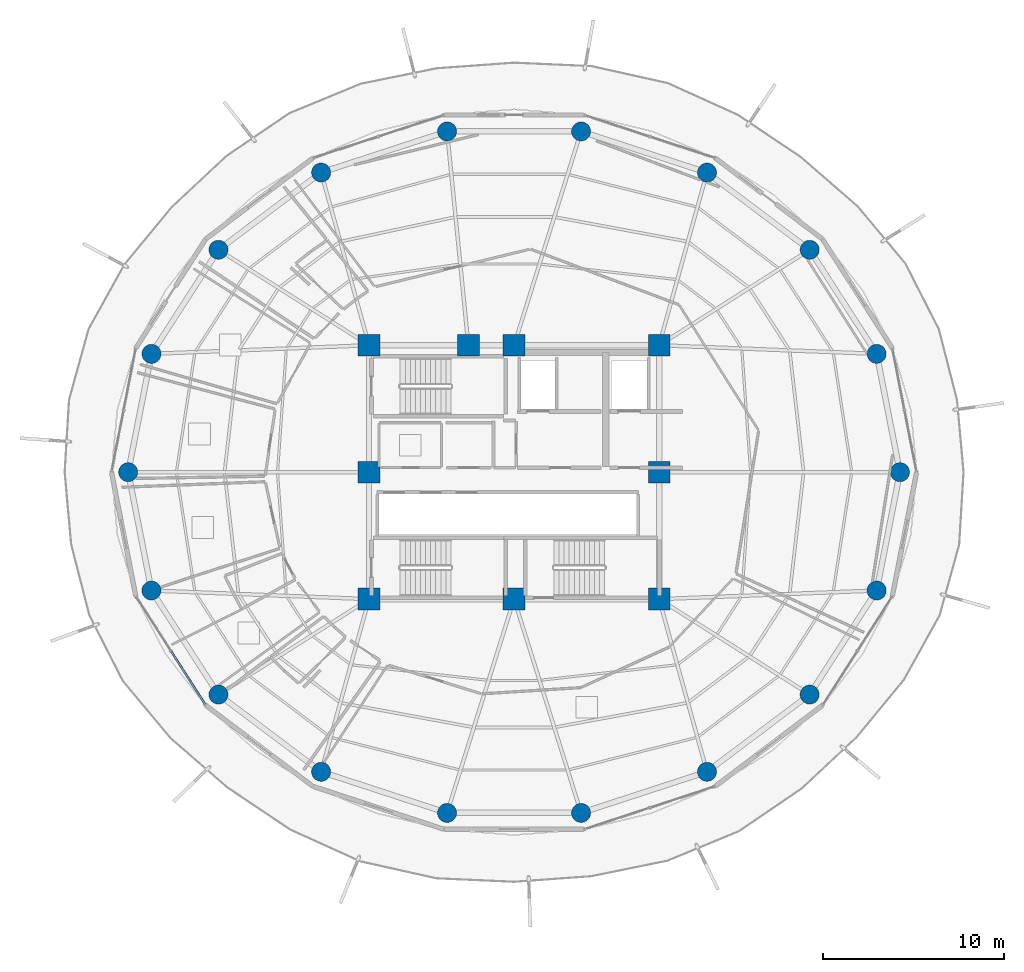
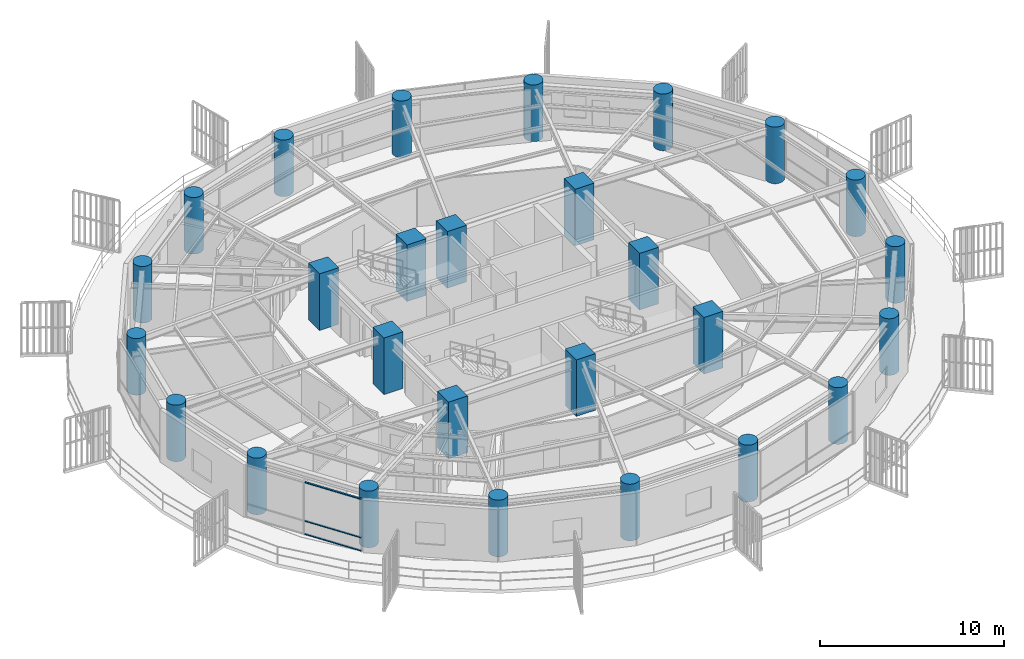
# One storey, part 1 of 30: 27 columns, 3 members, 1 element without a shape of its own.
"""IFC4 building model written with IfcOpenShell, lengths in metres."""

from ifc_helpers import new_model, si_unit, direction, frame, origin, origin_2d, place, context, subcontext, project, spatial, rectangle, hollow_rectangle, circle, extrude, material, layer, layer_set, material_profile, profile_set, type_object, element, aggregate, save


model = new_model("IFC4")

# Units and contexts
model_context = context("Model", 3, precision=1e-05, world=origin(), true_north=direction((0.0, 1.0)))
body_context = subcontext(model_context, "Body", "Model", "MODEL_VIEW")
ifc_project = project(units=[si_unit("LENGTHUNIT", "METRE"), si_unit("AREAUNIT", "SQUARE_METRE"), si_unit("VOLUMEUNIT", "CUBIC_METRE"), si_unit("PLANEANGLEUNIT", "RADIAN"), si_unit("MASSUNIT", "GRAM", prefix="KILO")], contexts=[model_context])

# Site, building, storey
site_placement = place(None, origin())
site = spatial("IfcSite", under=ifc_project, at=site_placement, CompositionType="ELEMENT")
building_placement = place(site_placement, origin())
building = spatial("IfcBuilding", under=site, at=building_placement, Name="Kelanora Arch Commons", CompositionType="ELEMENT")
storey_placement = place(building_placement, frame((0.0, 0.0, 211.949951171875)))
storey = spatial("IfcBuildingStorey", under=building, at=storey_placement, Name="L54", CompositionType="ELEMENT", Elevation=211.949951171875)

# Columns
ifc_material_1 = material(Name="Concrete C50/60", Category="concrete")
ifc_material_profile_1 = material_profile(ifc_material_1, circle(Radius=0.52490234375, at=origin_2d()), Name="RCC1050")
ifc_profile_set_1 = profile_set([ifc_material_profile_1], Name="Concrete C50/60")
column_type_1 = type_object("IfcColumnType", Name="COL-PERIM-Z4", PredefinedType="COLUMN", material=ifc_profile_set_1)
for number, where, z_axis, x_axis, name in (
    (1, (95.280029296875, 58.0, 0.0), (0.0, 0.0, 1.0), (1.0, 0.0, 0.0), "Perimeter Ring Column CP-00 L54"),
    (2, (93.99658203125, 64.525634765625, 0.0), (0.0, 0.0, 1.0), (1.0, 0.0, 0.0), "Perimeter Ring Column CP-02 L54"),
    (3, (90.301513671875, 70.264404296875, 0.0), (0.0, 0.0, 1.0), (1.0, 0.0, 0.0), "Perimeter Ring Column CP-04 L54"),
    (4, (84.639892578125, 74.523681640625, 0.0), (0.0, 0.0, 1.0), (1.0, 0.0, 0.0), "Perimeter Ring Column CP-06 L54"),
    (5, (77.6953125, 76.7900390625, 0.0), (0.0, 0.0, 1.0), (1.0, 0.0, 0.0), "Perimeter Ring Column CP-08 L54"),
    (6, (70.3046875, 76.7900390625, 0.0), (0.0, 0.0, 1.0), (1.0, 0.0, 0.0), "Perimeter Ring Column CP-10 L54"),
    (7, (63.360107421875, 74.523681640625, 0.0), (0.0, 0.0, 1.0), (1.0, 0.0, 0.0), "Perimeter Ring Column CP-12 L54"),
    (8, (57.698486328125, 70.264404296875, 0.0), (0.0, 0.0, 1.0), (1.0, 0.0, 0.0), "Perimeter Ring Column CP-14 L54"),
    (9, (54.00341796875, 64.525634765625, 0.0), (0.0, 0.0, 1.0), (1.0, 0.0, 0.0), "Perimeter Ring Column CP-16 L54"),
    (10, (52.719970703125, 58.0, 0.0), (0.0, 0.0, 1.0), (1.0, 0.0, 0.0), "Perimeter Ring Column CP-18 L54"),
    (11, (54.00341796875, 51.474365234375, 0.0), (0.0, 0.0, 1.0), (1.0, 0.0, 0.0), "Perimeter Ring Column CP-20 L54"),
    (12, (57.698486328125, 45.735595703125, 0.0), (0.0, 0.0, 1.0), (1.0, 0.0, 0.0), "Perimeter Ring Column CP-22 L54"),
    (13, (63.360107421875, 41.476318359375, 0.0), (0.0, 0.0, 1.0), (1.0, 0.0, 0.0), "Perimeter Ring Column CP-24 L54"),
    (14, (70.3046875, 39.2099609375, 0.0), (0.0, 0.0, 1.0), (1.0, 0.0, 0.0), "Perimeter Ring Column CP-26 L54"),
    (15, (77.6953125, 39.2099609375, 0.0), (0.0, 0.0, 1.0), (1.0, 0.0, 0.0), "Perimeter Ring Column CP-28 L54"),
    (16, (84.639892578125, 41.476318359375, 0.0), (0.0, 0.0, 1.0), (1.0, 0.0, 0.0), "Perimeter Ring Column CP-30 L54"),
    (17, (90.301513671875, 45.735595703125, 0.0), (0.0, 0.0, 1.0), (1.0, 0.0, 0.0), "Perimeter Ring Column CP-32 L54"),
    (18, (93.99658203125, 51.474365234375, 0.0), (0.0, 0.0, 1.0), (1.0, 0.0, 0.0), "Perimeter Ring Column CP-34 L54"),
):
    element("IfcColumn", number, at=place(storey_placement, frame(where, z_axis=z_axis, x_axis=x_axis)), inside=storey, type_object=column_type_1, Name=name, PredefinedType="COLUMN", context=body_context, shape_type="SweptSolid", body=[
        extrude(circle(Radius=0.52490234375, at=origin_2d()), origin(), (0.0, 0.0, 1.0), 3.75),
    ])
ifc_material_2 = material(Name="Concrete C60/75", Category="concrete")
ifc_material_profile_2 = material_profile(ifc_material_2, rectangle(XDim=1.199951171875, YDim=1.199951171875, at=origin_2d()), Name="RC1200x1200")
ifc_profile_set_2 = profile_set([ifc_material_profile_2], Name="Concrete C60/75")
column_type_2 = type_object("IfcColumnType", Name="COL-PIL-MID", PredefinedType="PILASTER", material=ifc_profile_set_2)
for number, where, z_axis, x_axis, name in (
    (19, (66.0, 51.0, 0.0), (0.0, 0.0, 1.0), (1.0, 0.0, 0.0), "Core Pilaster Column CP1 L54"),
    (20, (74.0, 51.0, 0.0), (0.0, 0.0, 1.0), (1.0, 0.0, 0.0), "Core Pilaster Column CP2 L54"),
    (21, (82.0, 51.0, 0.0), (0.0, 0.0, 1.0), (1.0, 0.0, 0.0), "Core Pilaster Column CP3 L54"),
    (22, (82.0, 58.0, 0.0), (0.0, 0.0, 1.0), (1.0, 0.0, 0.0), "Core Pilaster Column CP4 L54"),
    (23, (82.0, 65.0, 0.0), (0.0, 0.0, 1.0), (1.0, 0.0, 0.0), "Core Pilaster Column CP5 L54"),
    (24, (74.0, 65.0, 0.0), (0.0, 0.0, 1.0), (1.0, 0.0, 0.0), "Core Pilaster Column CP6 L54"),
    (25, (71.47998046875, 65.0, 0.0), (0.0, 0.0, 1.0), (1.0, 0.0, 0.0), "Core Pilaster Column CP9 L54"),
    (26, (66.0, 65.0, 0.0), (0.0, 0.0, 1.0), (1.0, 0.0, 0.0), "Core Pilaster Column CP7 L54"),
    (27, (66.0, 58.0, 0.0), (0.0, 0.0, 1.0), (1.0, 0.0, 0.0), "Core Pilaster Column CP8 L54"),
):
    element("IfcColumn", number, at=place(storey_placement, frame(where, z_axis=z_axis, x_axis=x_axis)), inside=storey, type_object=column_type_2, Name=name, PredefinedType="PILASTER", context=body_context, shape_type="SweptSolid", body=[
        extrude(rectangle(XDim=1.199951171875, YDim=1.199951171875, at=origin_2d()), origin(), (0.0, 0.0, 1.0), 3.75),
    ])

# Curtain wall, members
ifc_material_3 = material(Name="Terracotta ceramic-fritted low-E glass and aluminium", Category="masonry")
ifc_layer = layer(ifc_material_3, 0.175048828125)
ifc_layer_set = layer_set([ifc_layer], Name="Terracotta ceramic-fritted low-E glass and aluminium")
curtain_wall_type = type_object("IfcCurtainWallType", Name="CW-SYS-02", PredefinedType="NOTDEFINED", material=ifc_layer_set)
curtain_wall_placement = place(storey_placement, origin())
curtain_wall = element("IfcCurtainWall", 28, at=curtain_wall_placement, inside=storey, type_object=curtain_wall_type, Name="Unitised Curtain Wall L54-B10", PredefinedType="NOTDEFINED")
ifc_material_4 = material(Name="Powder-coated aluminium terracotta", Category="masonry")
ifc_material_profile_3 = material_profile(ifc_material_4, hollow_rectangle(XDim=0.1201171875, YDim=0.06005859375, WallThickness=0.0048828125, InnerFilletRadius=0.0048828125, OuterFilletRadius=0.010009765625, at=origin_2d()), Name="CWT120x60")
ifc_profile_set_3 = profile_set([ifc_material_profile_3], Name="Powder-coated aluminium terracotta")
member_type = type_object("IfcMemberType", Name="CWT-STD", PredefinedType="USERDEFINED", material=ifc_profile_set_3)
member_1_placement = place(storey_placement, frame((55.08251953125, 48.126708984375, 0.030029296875), z_axis=(0.53954710894, -0.841955412854, 0.0), x_axis=(0.841955412854, 0.53954710894, 0.0)))
member_1 = element("IfcMember", 29, at=member_1_placement, type_object=member_type, Name="CW-02 transom 2.1", ObjectType="TRANSOM", PredefinedType="USERDEFINED", context=body_context, shape_type="SweptSolid", body=[
    extrude(hollow_rectangle(XDim=0.1201171875, YDim=0.06005859375, WallThickness=0.0048828125, InnerFilletRadius=0.0048828125, OuterFilletRadius=0.010009765625, at=origin_2d()), origin(), (0.0, 0.0, 1.0), 3.467529296875),
])
member_2_placement = place(storey_placement, frame((55.08251953125, 48.126708984375, 0.900146484375), z_axis=(0.53954710894, -0.841955412854, 0.0), x_axis=(0.841955412854, 0.53954710894, 0.0)))
member_2 = element("IfcMember", 30, at=member_2_placement, type_object=member_type, Name="CW-02 transom 2.2", ObjectType="TRANSOM", PredefinedType="USERDEFINED", context=body_context, shape_type="SweptSolid", body=[
    extrude(hollow_rectangle(XDim=0.1201171875, YDim=0.06005859375, WallThickness=0.0048828125, InnerFilletRadius=0.0048828125, OuterFilletRadius=0.010009765625, at=origin_2d()), origin(), (0.0, 0.0, 1.0), 3.467529296875),
])
member_3_placement = place(storey_placement, frame((55.08251953125, 48.126708984375, 3.445068359375), z_axis=(0.53954710894, -0.841955412854, 0.0), x_axis=(0.841955412854, 0.53954710894, 0.0)))
member_3 = element("IfcMember", 31, at=member_3_placement, type_object=member_type, Name="CW-02 transom 2.3", ObjectType="TRANSOM", PredefinedType="USERDEFINED", context=body_context, shape_type="SweptSolid", body=[
    extrude(hollow_rectangle(XDim=0.1201171875, YDim=0.06005859375, WallThickness=0.0048828125, InnerFilletRadius=0.0048828125, OuterFilletRadius=0.010009765625, at=origin_2d()), origin(), (0.0, 0.0, 1.0), 3.467529296875),
])
aggregate(curtain_wall, [member_1, member_2, member_3])

save(model, "model.ifc")
